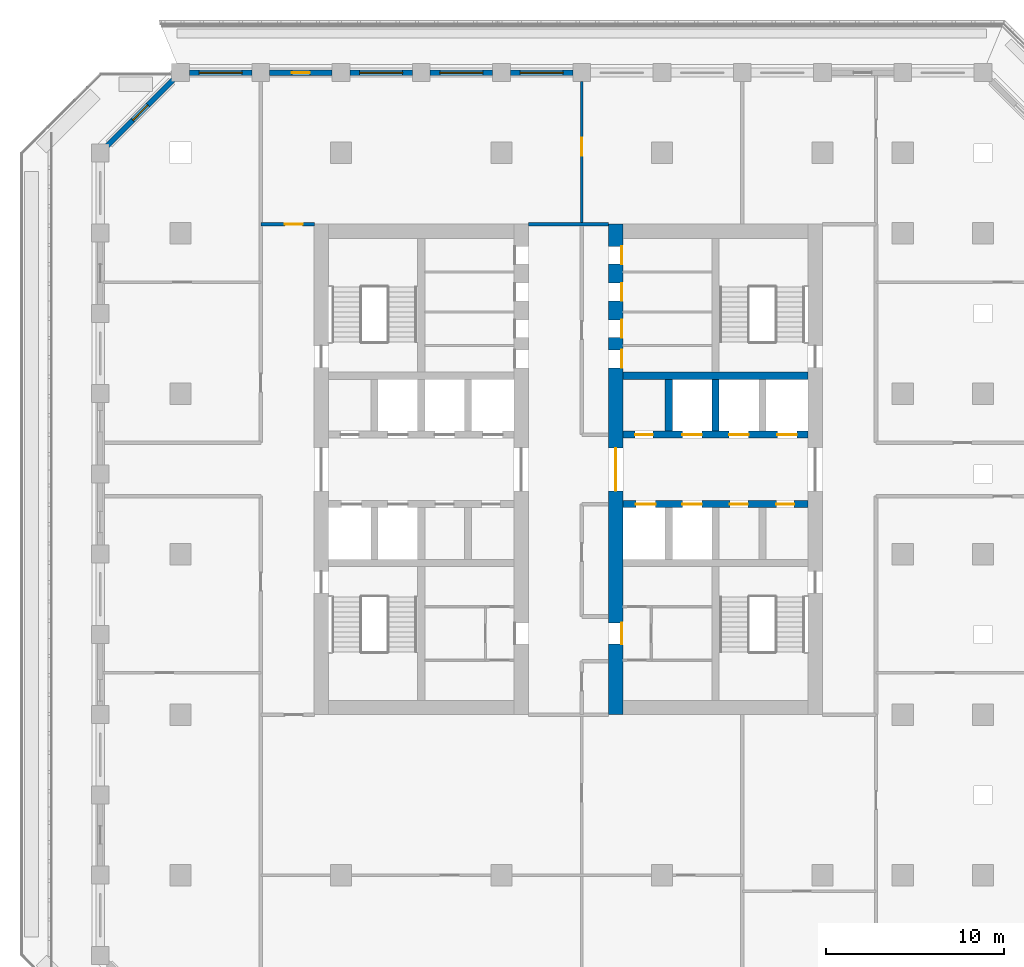
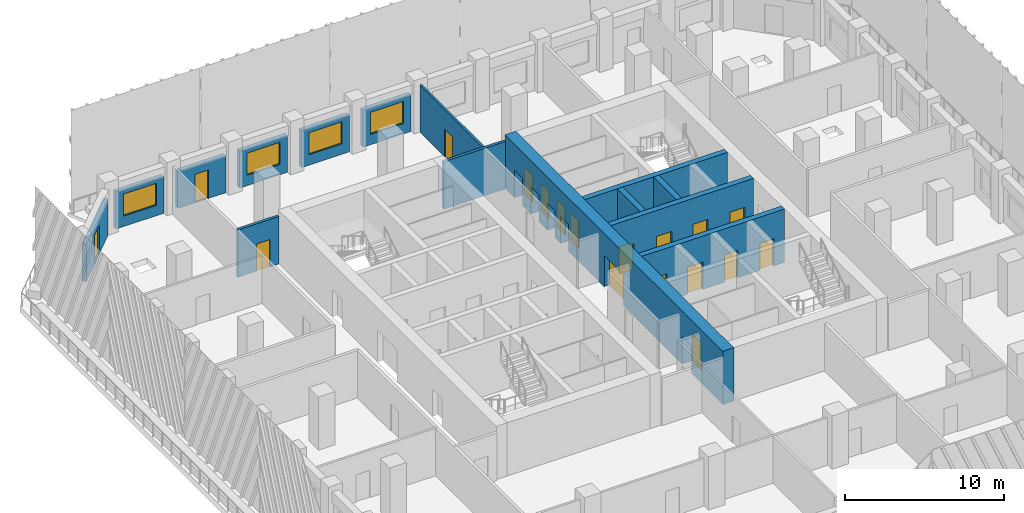
# One storey, part 6 of 16: 18 doors, 15 walls, 4 windows, 22 openings.
"""IFC4 building model written with IfcOpenShell, lengths in metres."""

from ifc_helpers import new_model, si_unit, direction, frame, frame_2d, origin, place, context, subcontext, project, spatial, rectangle, extrude, material, layer, layer_set, type_object, element, fill, save


model = new_model("IFC4")

# Units and contexts
model_context = context("Model", 3, precision=1e-05, world=origin(), true_north=direction((0.0, 1.0)))
body_context = subcontext(model_context, "Body", "Model", "MODEL_VIEW")
ifc_project = project(units=[si_unit("LENGTHUNIT", "METRE"), si_unit("AREAUNIT", "SQUARE_METRE"), si_unit("VOLUMEUNIT", "CUBIC_METRE"), si_unit("PLANEANGLEUNIT", "RADIAN"), si_unit("MASSUNIT", "GRAM", prefix="KILO")], contexts=[model_context])

# Site, building, storey
site_placement = place(None, origin())
site = spatial("IfcSite", under=ifc_project, at=site_placement, CompositionType="ELEMENT")
building_placement = place(site_placement, origin())
building = spatial("IfcBuilding", under=site, at=building_placement, Name="Corbel Stack Research Tower", CompositionType="ELEMENT")
storey_placement = place(building_placement, frame((0.0, 0.0, 191.5)))
storey = spatial("IfcBuildingStorey", under=building, at=storey_placement, Name="L43", CompositionType="ELEMENT", Elevation=191.5)

# Wall, openings, doors
ifc_material_1 = material(Name="Concrete C60/75", Category="concrete")
ifc_layer_1 = layer(ifc_material_1, 0.39990234375)
ifc_layer_set_1 = layer_set([ifc_layer_1], Name="Concrete C60/75")
wall_type_1 = type_object("IfcWallType", Name="CW-400-60", PredefinedType="SHEAR", material=ifc_layer_set_1)
wall_1_placement = place(storey_placement, frame((6.800048828125, 2.800048828125, 0.0), z_axis=(0.0, 0.0, 1.0), x_axis=(1.0, 0.0, 0.0)))
wall_1 = element("IfcWall", 1, at=wall_1_placement, inside=storey, type_object=wall_type_1, Name="East core wall, lobby south L43", PredefinedType="SHEAR", context=body_context, shape_type="SweptSolid", body=[
    extrude(rectangle(XDim=10.39990234375, YDim=0.39990234375, at=frame_2d((5.199951171875, 0.0))), origin(), (0.0, 0.0, 1.0), 4.10009765625),
])
opening_1_placement = place(wall_1_placement, frame((0.737548828125, 0.0, 0.0)))
opening_1 = element("IfcOpeningElement", 2, at=opening_1_placement, cuts=wall_1, Name="Opening LD-FS2", PredefinedType="OPENING", context=body_context, shape_type="SweptSolid", body=[
    extrude(rectangle(XDim=1.10009765625, YDim=2.10009765625, at=frame_2d((0.550048828125, 1.050048828125))), frame((0.0, 0.2099609375, 0.0), z_axis=(0.0, -1.0, 0.0), x_axis=(1.0, 0.0, 0.0)), (0.0, 0.0, 1.0), 0.419921875),
])
opening_2_placement = place(wall_1_placement, frame((3.33740234375, 0.0, 0.0)))
opening_2 = element("IfcOpeningElement", 3, at=opening_2_placement, cuts=wall_1, Name="Opening LD-GL2", PredefinedType="OPENING", context=body_context, shape_type="SweptSolid", body=[
    extrude(rectangle(XDim=1.10009765625, YDim=2.10009765625, at=frame_2d((0.550048828125, 1.050048828125))), frame((0.0, 0.2099609375, 0.0), z_axis=(0.0, -1.0, 0.0), x_axis=(1.0, 0.0, 0.0)), (0.0, 0.0, 1.0), 0.419921875),
])
opening_3_placement = place(wall_1_placement, frame((6.012451171875, 0.0, 0.0)))
opening_3 = element("IfcOpeningElement", 4, at=opening_3_placement, cuts=wall_1, Name="Opening CR-E36-S3", PredefinedType="OPENING", context=body_context, shape_type="SweptSolid", body=[
    extrude(rectangle(XDim=1.0, YDim=2.10009765625, at=frame_2d((0.5, 1.050048828125))), frame((0.0, 0.2099609375, 0.0), z_axis=(0.0, -1.0, 0.0), x_axis=(1.0, 0.0, 0.0)), (0.0, 0.0, 1.0), 0.419921875),
])
opening_4_placement = place(wall_1_placement, frame((8.612548828125, 0.0, 0.0)))
opening_4 = element("IfcOpeningElement", 5, at=opening_4_placement, cuts=wall_1, Name="Opening CR-E36-S4", PredefinedType="OPENING", context=body_context, shape_type="SweptSolid", body=[
    extrude(rectangle(XDim=1.0, YDim=2.10009765625, at=frame_2d((0.5, 1.050048828125))), frame((0.0, 0.2099609375, 0.0), z_axis=(0.0, -1.0, 0.0), x_axis=(1.0, 0.0, 0.0)), (0.0, 0.0, 1.0), 0.419921875),
])
ifc_material_2 = material(Name="Stainless steel landing door", Category="steel")
door_type_1 = type_object("IfcDoorType", Name="Lift landing door 1100 x 2100", OperationType="DOUBLE_DOOR_SLIDING", PredefinedType="DOOR", material=ifc_material_2)
door_1_placement = place(opening_1_placement, origin())
door_1 = element("IfcDoor", 6, at=door_1_placement, inside=storey, type_object=door_type_1, Name="Landing door FS2", OperationType="DOUBLE_DOOR_SLIDING", OverallHeight=2.10009765625, OverallWidth=1.10009765625, PredefinedType="DOOR", context=body_context, shape_type="SweptSolid", body=[
    extrude(rectangle(XDim=1.10009765625, YDim=2.10009765625, at=frame_2d((0.550048828125, 1.050048828125))), frame((0.0, 0.02490234375, 0.0), z_axis=(0.0, -1.0, 0.0), x_axis=(1.0, 0.0, 0.0)), (0.0, 0.0, 1.0), 0.050048828125),
])
fill(opening_1, door_1)
door_2_placement = place(opening_2_placement, origin())
door_2 = element("IfcDoor", 7, at=door_2_placement, inside=storey, type_object=door_type_1, Name="Landing door GL2", OperationType="DOUBLE_DOOR_SLIDING", OverallHeight=2.10009765625, OverallWidth=1.10009765625, PredefinedType="DOOR", context=body_context, shape_type="SweptSolid", body=[
    extrude(rectangle(XDim=1.10009765625, YDim=2.10009765625, at=frame_2d((0.550048828125, 1.050048828125))), frame((0.0, 0.02490234375, 0.0), z_axis=(0.0, -1.0, 0.0), x_axis=(1.0, 0.0, 0.0)), (0.0, 0.0, 1.0), 0.050048828125),
])
fill(opening_2, door_2)
ifc_material_3 = material(Name="Painted steel door", Category="steel")
door_type_2 = type_object("IfcDoorType", Name="Service door 1000 x 2100 FD60 left hand", OperationType="SINGLE_SWING_LEFT", PredefinedType="DOOR", material=ifc_material_3)
door_3_placement = place(opening_3_placement, origin())
door_3 = element("IfcDoor", 8, at=door_3_placement, inside=storey, type_object=door_type_2, Name="Mechanical room door E core", OperationType="SINGLE_SWING_LEFT", OverallHeight=2.10009765625, OverallWidth=1.0, PredefinedType="DOOR", context=body_context, shape_type="SweptSolid", body=[
    extrude(rectangle(XDim=1.0, YDim=2.10009765625, at=frame_2d((0.5, 1.050048828125))), frame((0.0, 0.02490234375, 0.0), z_axis=(0.0, -1.0, 0.0), x_axis=(1.0, 0.0, 0.0)), (0.0, 0.0, 1.0), 0.050048828125),
])
fill(opening_3, door_3)
ifc_material_4 = material(Name="Painted steel door", Category="steel")
door_type_3 = type_object("IfcDoorType", Name="Service door 1000 x 2100 FD60 right hand", OperationType="SINGLE_SWING_RIGHT", PredefinedType="DOOR", material=ifc_material_4)
door_4_placement = place(opening_4_placement, origin())
door_4 = element("IfcDoor", 9, at=door_4_placement, inside=storey, type_object=door_type_3, Name="Telecom room door E core", OperationType="SINGLE_SWING_RIGHT", OverallHeight=2.10009765625, OverallWidth=1.0, PredefinedType="DOOR", context=body_context, shape_type="SweptSolid", body=[
    extrude(rectangle(XDim=1.0, YDim=2.10009765625, at=frame_2d((0.5, 1.050048828125))), frame((0.0, 0.02490234375, 0.0), z_axis=(0.0, -1.0, 0.0), x_axis=(1.0, 0.0, 0.0)), (0.0, 0.0, 1.0), 0.050048828125),
])
fill(opening_4, door_4)

wall_2_placement = place(storey_placement, frame((6.800048828125, 6.699951171875, 0.0), z_axis=(0.0, 0.0, 1.0), x_axis=(1.0, 0.0, 0.0)))
wall_2 = element("IfcWall", 10, at=wall_2_placement, inside=storey, type_object=wall_type_1, Name="East core wall, lobby north L43", PredefinedType="SHEAR", context=body_context, shape_type="SweptSolid", body=[
    extrude(rectangle(XDim=10.39990234375, YDim=0.39990234375, at=frame_2d((5.199951171875, 0.0))), origin(), (0.0, 0.0, 1.0), 4.10009765625),
])
opening_5_placement = place(wall_2_placement, frame((3.33740234375, 0.0, 0.0)))
opening_5 = element("IfcOpeningElement", 11, at=opening_5_placement, cuts=wall_2, Name="Opening LD-HR4", PredefinedType="OPENING", context=body_context, shape_type="SweptSolid", body=[
    extrude(rectangle(XDim=1.10009765625, YDim=2.10009765625, at=frame_2d((0.550048828125, 1.050048828125))), frame((0.0, 0.2099609375, 0.0), z_axis=(0.0, -1.0, 0.0), x_axis=(1.0, 0.0, 0.0)), (0.0, 0.0, 1.0), 0.419921875),
])
opening_6_placement = place(wall_2_placement, frame((5.96240234375, 0.0, 0.0)))
opening_6 = element("IfcOpeningElement", 12, at=opening_6_placement, cuts=wall_2, Name="Opening LD-HR5", PredefinedType="OPENING", context=body_context, shape_type="SweptSolid", body=[
    extrude(rectangle(XDim=1.10009765625, YDim=2.10009765625, at=frame_2d((0.550048828125, 1.050048828125))), frame((0.0, 0.2099609375, 0.0), z_axis=(0.0, -1.0, 0.0), x_axis=(1.0, 0.0, 0.0)), (0.0, 0.0, 1.0), 0.419921875),
])
opening_7_placement = place(wall_2_placement, frame((8.66259765625, 0.0, 0.0)))
opening_7 = element("IfcOpeningElement", 13, at=opening_7_placement, cuts=wall_2, Name="Opening LD-HR6", PredefinedType="OPENING", context=body_context, shape_type="SweptSolid", body=[
    extrude(rectangle(XDim=1.10009765625, YDim=2.10009765625, at=frame_2d((0.550048828125, 1.050048828125))), frame((0.0, 0.2099609375, 0.0), z_axis=(0.0, -1.0, 0.0), x_axis=(1.0, 0.0, 0.0)), (0.0, 0.0, 1.0), 0.419921875),
])
opening_8_placement = place(wall_2_placement, frame((0.6875, 0.0, 0.0)))
opening_8 = element("IfcOpeningElement", 14, at=opening_8_placement, cuts=wall_2, Name="Opening CR-E36-N1", PredefinedType="OPENING", context=body_context, shape_type="SweptSolid", body=[
    extrude(rectangle(XDim=1.0, YDim=2.10009765625, at=frame_2d((0.5, 1.050048828125))), frame((0.0, 0.2099609375, 0.0), z_axis=(0.0, -1.0, 0.0), x_axis=(1.0, 0.0, 0.0)), (0.0, 0.0, 1.0), 0.419921875),
])
door_5_placement = place(opening_5_placement, origin())
door_5 = element("IfcDoor", 15, at=door_5_placement, inside=storey, type_object=door_type_1, Name="Landing door HR4", OperationType="DOUBLE_DOOR_SLIDING", OverallHeight=2.10009765625, OverallWidth=1.10009765625, PredefinedType="DOOR", context=body_context, shape_type="SweptSolid", body=[
    extrude(rectangle(XDim=1.10009765625, YDim=2.10009765625, at=frame_2d((0.550048828125, 1.050048828125))), frame((0.0, 0.02490234375, 0.0), z_axis=(0.0, -1.0, 0.0), x_axis=(1.0, 0.0, 0.0)), (0.0, 0.0, 1.0), 0.050048828125),
])
fill(opening_5, door_5)
door_6_placement = place(opening_6_placement, origin())
door_6 = element("IfcDoor", 16, at=door_6_placement, inside=storey, type_object=door_type_1, Name="Landing door HR5", OperationType="DOUBLE_DOOR_SLIDING", OverallHeight=2.10009765625, OverallWidth=1.10009765625, PredefinedType="DOOR", context=body_context, shape_type="SweptSolid", body=[
    extrude(rectangle(XDim=1.10009765625, YDim=2.10009765625, at=frame_2d((0.550048828125, 1.050048828125))), frame((0.0, 0.02490234375, 0.0), z_axis=(0.0, -1.0, 0.0), x_axis=(1.0, 0.0, 0.0)), (0.0, 0.0, 1.0), 0.050048828125),
])
fill(opening_6, door_6)
door_7_placement = place(opening_7_placement, origin())
door_7 = element("IfcDoor", 17, at=door_7_placement, inside=storey, type_object=door_type_1, Name="Landing door HR6", OperationType="DOUBLE_DOOR_SLIDING", OverallHeight=2.10009765625, OverallWidth=1.10009765625, PredefinedType="DOOR", context=body_context, shape_type="SweptSolid", body=[
    extrude(rectangle(XDim=1.10009765625, YDim=2.10009765625, at=frame_2d((0.550048828125, 1.050048828125))), frame((0.0, 0.02490234375, 0.0), z_axis=(0.0, -1.0, 0.0), x_axis=(1.0, 0.0, 0.0)), (0.0, 0.0, 1.0), 0.050048828125),
])
fill(opening_7, door_7)
door_8_placement = place(opening_8_placement, origin())
door_8 = element("IfcDoor", 18, at=door_8_placement, inside=storey, type_object=door_type_2, Name="Copy and supply store door E core", OperationType="SINGLE_SWING_LEFT", OverallHeight=2.10009765625, OverallWidth=1.0, PredefinedType="DOOR", context=body_context, shape_type="SweptSolid", body=[
    extrude(rectangle(XDim=1.0, YDim=2.10009765625, at=frame_2d((0.5, 1.050048828125))), frame((0.0, 0.02490234375, 0.0), z_axis=(0.0, -1.0, 0.0), x_axis=(1.0, 0.0, 0.0)), (0.0, 0.0, 1.0), 0.050048828125),
])
fill(opening_8, door_8)

# Walls
wall_3_placement = place(storey_placement, frame((6.800048828125, 10.0, 0.0), z_axis=(0.0, 0.0, 1.0), x_axis=(1.0, 0.0, 0.0)))
element("IfcWall", 19, at=wall_3_placement, inside=storey, type_object=wall_type_1, Name="East core wall, north row back L43", PredefinedType="SHEAR", context=body_context, shape_type="SweptSolid", body=[
    extrude(rectangle(XDim=10.39990234375, YDim=0.39990234375, at=frame_2d((5.199951171875, 0.0))), origin(), (0.0, 0.0, 1.0), 4.10009765625),
])
for number, where, z_axis, x_axis, name in (
    (20, (9.375, 6.89990234375, 0.0), (0.0, 0.0, 1.0), (0.0, 1.0, 0.0), "East core wall, north shaft 1 L43"),
    (21, (12.0, 6.89990234375, 0.0), (0.0, 0.0, 1.0), (0.0, 1.0, 0.0), "East core wall, north shaft 2 L43"),
):
    element("IfcWall", number, at=place(storey_placement, frame(where, z_axis=z_axis, x_axis=x_axis)), inside=storey, type_object=wall_type_1, Name=name, PredefinedType="SHEAR", context=body_context, shape_type="SweptSolid", body=[
        extrude(rectangle(XDim=2.900146484375, YDim=0.39990234375, at=frame_2d((1.4501953125, 0.0))), origin(), (0.0, 0.0, 1.0), 4.10009765625),
    ])

# Wall, openings, doors
ifc_material_5 = material(Name="Concrete C60/75", Category="concrete")
ifc_layer_2 = layer(ifc_material_5, 0.800048828125)
ifc_layer_set_2 = layer_set([ifc_layer_2], Name="Concrete C60/75")
wall_type_2 = type_object("IfcWallType", Name="CW-800-60", PredefinedType="SHEAR", material=ifc_layer_set_2)
wall_4_placement = place(storey_placement, frame((6.39990234375, -9.0, 0.0), z_axis=(0.0, 0.0, 1.0), x_axis=(0.0, 1.0, 0.0)))
wall_4 = element("IfcWall", 22, at=wall_4_placement, inside=storey, type_object=wall_type_2, Name="East core wall, west face L43", PredefinedType="SHEAR", context=body_context, shape_type="SweptSolid", body=[
    extrude(rectangle(XDim=27.5, YDim=0.800048828125, at=frame_2d((13.75, 0.0))), origin(), (0.0, 0.0, 1.0), 4.10009765625),
])
opening_9_placement = place(wall_4_placement, frame((12.550048828125, 0.0, 0.0)))
opening_9 = element("IfcOpeningElement", 23, at=opening_9_placement, cuts=wall_4, Name="Opening CD-E-W", PredefinedType="OPENING", context=body_context, shape_type="SweptSolid", body=[
    extrude(rectangle(XDim=2.39990234375, YDim=2.39990234375, at=frame_2d((1.199951171875, 1.199951171875))), frame((0.0, 0.409912109375, 0.0), z_axis=(0.0, -1.0, 0.0), x_axis=(1.0, 0.0, 0.0)), (0.0, 0.0, 1.0), 0.820068359375),
])
opening_10_placement = place(wall_4_placement, frame((3.949951171875, 0.0, 0.0)))
opening_10 = element("IfcOpeningElement", 24, at=opening_10_placement, cuts=wall_4, Name="Opening CR-E36-W1-1200", PredefinedType="OPENING", context=body_context, shape_type="SweptSolid", body=[
    extrude(rectangle(XDim=1.199951171875, YDim=2.10009765625, at=frame_2d((0.60009765625, 1.050048828125))), frame((0.0, 0.409912109375, 0.0), z_axis=(0.0, -1.0, 0.0), x_axis=(1.0, 0.0, 0.0)), (0.0, 0.0, 1.0), 0.820068359375),
])
opening_11_placement = place(wall_4_placement, frame((19.449951171875, 0.0, 0.0)))
opening_11 = element("IfcOpeningElement", 25, at=opening_11_placement, cuts=wall_4, Name="Opening CR-E36-R1-1000", PredefinedType="OPENING", context=body_context, shape_type="SweptSolid", body=[
    extrude(rectangle(XDim=1.0, YDim=2.10009765625, at=frame_2d((0.5, 1.050048828125))), frame((0.0, 0.409912109375, 0.0), z_axis=(0.0, -1.0, 0.0), x_axis=(1.0, 0.0, 0.0)), (0.0, 0.0, 1.0), 0.820068359375),
])
opening_12_placement = place(wall_4_placement, frame((21.137451171875, 0.0, 0.0)))
opening_12 = element("IfcOpeningElement", 26, at=opening_12_placement, cuts=wall_4, Name="Opening CR-E36-R2-1000", PredefinedType="OPENING", context=body_context, shape_type="SweptSolid", body=[
    extrude(rectangle(XDim=1.0, YDim=2.10009765625, at=frame_2d((0.5, 1.050048828125))), frame((0.0, 0.409912109375, 0.0), z_axis=(0.0, -1.0, 0.0), x_axis=(1.0, 0.0, 0.0)), (0.0, 0.0, 1.0), 0.820068359375),
])
opening_13_placement = place(wall_4_placement, frame((23.199951171875, 0.0, 0.0)))
opening_13 = element("IfcOpeningElement", 27, at=opening_13_placement, cuts=wall_4, Name="Opening CR-E36-R3-1000", PredefinedType="OPENING", context=body_context, shape_type="SweptSolid", body=[
    extrude(rectangle(XDim=1.0, YDim=2.10009765625, at=frame_2d((0.5, 1.050048828125))), frame((0.0, 0.409912109375, 0.0), z_axis=(0.0, -1.0, 0.0), x_axis=(1.0, 0.0, 0.0)), (0.0, 0.0, 1.0), 0.820068359375),
])
opening_14_placement = place(wall_4_placement, frame((25.262451171875, 0.0, 0.0)))
opening_14 = element("IfcOpeningElement", 28, at=opening_14_placement, cuts=wall_4, Name="Opening CR-E36-R4-1000", PredefinedType="OPENING", context=body_context, shape_type="SweptSolid", body=[
    extrude(rectangle(XDim=1.0, YDim=2.10009765625, at=frame_2d((0.5, 1.050048828125))), frame((0.0, 0.409912109375, 0.0), z_axis=(0.0, -1.0, 0.0), x_axis=(1.0, 0.0, 0.0)), (0.0, 0.0, 1.0), 0.820068359375),
])
ifc_material_6 = material(Name="Painted steel fire door", Category="steel")
door_type_4 = type_object("IfcDoorType", Name="Lobby door pair 2400 x 2400 FD30S", OperationType="DOUBLE_DOOR_DOUBLE_SWING", PredefinedType="DOOR", material=ifc_material_6)
door_9_placement = place(opening_9_placement, origin())
door_9 = element("IfcDoor", 29, at=door_9_placement, inside=storey, type_object=door_type_4, Name="Lift lobby door E core W", OperationType="DOUBLE_DOOR_DOUBLE_SWING", OverallHeight=2.39990234375, OverallWidth=2.39990234375, PredefinedType="DOOR", context=body_context, shape_type="SweptSolid", body=[
    extrude(rectangle(XDim=2.39990234375, YDim=2.39990234375, at=frame_2d((1.199951171875, 1.199951171875))), frame((0.0, 0.02490234375, 0.0), z_axis=(0.0, -1.0, 0.0), x_axis=(1.0, 0.0, 0.0)), (0.0, 0.0, 1.0), 0.050048828125),
])
fill(opening_9, door_9)
ifc_material_7 = material(Name="Painted steel door", Category="steel")
door_type_5 = type_object("IfcDoorType", Name="Riser door 1000 x 2100 FD60 left hand", OperationType="SINGLE_SWING_LEFT", PredefinedType="DOOR", material=ifc_material_7)
door_10_placement = place(opening_12_placement, origin())
door_10 = element("IfcDoor", 30, at=door_10_placement, inside=storey, type_object=door_type_5, Name="Telecom room door E core", OperationType="SINGLE_SWING_LEFT", OverallHeight=2.10009765625, OverallWidth=1.0, PredefinedType="DOOR", context=body_context, shape_type="SweptSolid", body=[
    extrude(rectangle(XDim=1.0, YDim=2.10009765625, at=frame_2d((0.5, 1.050048828125))), frame((0.0, -0.3251953125, 0.0), z_axis=(0.0, -1.0, 0.0), x_axis=(1.0, 0.0, 0.0)), (0.0, 0.0, 1.0), 0.050048828125),
])
fill(opening_12, door_10)
ifc_material_8 = material(Name="Painted steel door", Category="steel")
door_type_6 = type_object("IfcDoorType", Name="Riser door 1000 x 2100 FD60 right hand", OperationType="SINGLE_SWING_RIGHT", PredefinedType="DOOR", material=ifc_material_8)
door_11_placement = place(opening_11_placement, origin())
door_11 = element("IfcDoor", 31, at=door_11_placement, inside=storey, type_object=door_type_6, Name="Electrical riser door E core", OperationType="SINGLE_SWING_RIGHT", OverallHeight=2.10009765625, OverallWidth=1.0, PredefinedType="DOOR", context=body_context, shape_type="SweptSolid", body=[
    extrude(rectangle(XDim=1.0, YDim=2.10009765625, at=frame_2d((0.5, 1.050048828125))), frame((0.0, -0.3251953125, 0.0), z_axis=(0.0, -1.0, 0.0), x_axis=(1.0, 0.0, 0.0)), (0.0, 0.0, 1.0), 0.050048828125),
])
fill(opening_11, door_11)
ifc_material_9 = material(Name="Painted steel door", Category="steel")
door_type_7 = type_object("IfcDoorType", Name="Service door 1000 x 2100 FD30 left hand", OperationType="SINGLE_SWING_LEFT", PredefinedType="DOOR", material=ifc_material_9)
door_12_placement = place(opening_14_placement, origin())
door_12 = element("IfcDoor", 32, at=door_12_placement, inside=storey, type_object=door_type_7, Name="Cleaner's store door E core", OperationType="SINGLE_SWING_LEFT", OverallHeight=2.10009765625, OverallWidth=1.0, PredefinedType="DOOR", context=body_context, shape_type="SweptSolid", body=[
    extrude(rectangle(XDim=1.0, YDim=2.10009765625, at=frame_2d((0.5, 1.050048828125))), frame((0.0, -0.3251953125, 0.0), z_axis=(0.0, -1.0, 0.0), x_axis=(1.0, 0.0, 0.0)), (0.0, 0.0, 1.0), 0.050048828125),
])
fill(opening_14, door_12)
ifc_material_10 = material(Name="Painted steel door", Category="steel")
door_type_8 = type_object("IfcDoorType", Name="Service door 1000 x 2100 FD30 right hand", OperationType="SINGLE_SWING_RIGHT", PredefinedType="DOOR", material=ifc_material_10)
door_13_placement = place(opening_13_placement, origin())
door_13 = element("IfcDoor", 33, at=door_13_placement, inside=storey, type_object=door_type_8, Name="Pantry door E core", OperationType="SINGLE_SWING_RIGHT", OverallHeight=2.10009765625, OverallWidth=1.0, PredefinedType="DOOR", context=body_context, shape_type="SweptSolid", body=[
    extrude(rectangle(XDim=1.0, YDim=2.10009765625, at=frame_2d((0.5, 1.050048828125))), frame((0.0, -0.3251953125, 0.0), z_axis=(0.0, -1.0, 0.0), x_axis=(1.0, 0.0, 0.0)), (0.0, 0.0, 1.0), 0.050048828125),
])
fill(opening_13, door_13)
ifc_material_11 = material(Name="Painted timber door", Category="wood")
door_type_9 = type_object("IfcDoorType", Name="WC door 1200 x 2100 right hand", OperationType="SINGLE_SWING_RIGHT", PredefinedType="DOOR", material=ifc_material_11)
door_14_placement = place(opening_10_placement, origin())
door_14 = element("IfcDoor", 34, at=door_14_placement, inside=storey, type_object=door_type_9, Name="WC lobby door E core", OperationType="SINGLE_SWING_RIGHT", OverallHeight=2.10009765625, OverallWidth=1.199951171875, PredefinedType="DOOR", context=body_context, shape_type="SweptSolid", body=[
    extrude(rectangle(XDim=1.199951171875, YDim=2.10009765625, at=frame_2d((0.60009765625, 1.050048828125))), frame((0.0, -0.3251953125, 0.0), z_axis=(0.0, -1.0, 0.0), x_axis=(1.0, 0.0, 0.0)), (0.0, 0.0, 1.0), 0.050048828125),
])
fill(opening_10, door_14)

# Wall, opening, door
ifc_material_12 = material(Name="Fire-rated gypsum board partition on steel studs", Category="steel")
ifc_layer_3 = layer(ifc_material_12, 0.14990234375)
ifc_layer_set_3 = layer_set([ifc_layer_3], Name="Fire-rated gypsum board partition on steel studs")
wall_type_3 = type_object("IfcWallType", Name="Fire-rated partition 150 EI 60", PredefinedType="PARTITIONING", material=ifc_layer_set_3)
wall_5_placement = place(storey_placement, frame((4.5, 26.5, 0.0), z_axis=(0.0, 0.0, 1.0), x_axis=(0.0, -1.0, 0.0)))
wall_5 = element("IfcWall", 35, at=wall_5_placement, inside=storey, type_object=wall_type_3, Name="Partition L43-004", PredefinedType="PARTITIONING", context=body_context, shape_type="SweptSolid", body=[
    extrude(rectangle(XDim=8.0, YDim=0.14990234375, at=frame_2d((4.0, 0.0))), origin(), (0.0, 0.0, 1.0), 3.64990234375),
])
opening_15_placement = place(wall_5_placement, frame((3.14990234375, 0.0, 0.0)))
opening_15 = element("IfcOpeningElement", 36, at=opening_15_placement, cuts=wall_5, Name="Opening B6V0H-014", PredefinedType="OPENING", context=body_context, shape_type="SweptSolid", body=[
    extrude(rectangle(XDim=1.0, YDim=2.10009765625, at=frame_2d((0.5, 1.050048828125))), frame((0.0, 0.0849609375, 0.0), z_axis=(0.0, -1.0, 0.0), x_axis=(1.0, 0.0, 0.0)), (0.0, 0.0, 1.0), 0.169921875),
])
ifc_material_13 = material(Name="Painted steel fire door", Category="steel")
door_type_10 = type_object("IfcDoorType", Name="Fire door FD30S 1000 x 2100", OperationType="NOTDEFINED", PredefinedType="DOOR", material=ifc_material_13)
door_15_placement = place(opening_15_placement, origin())
door_15 = element("IfcDoor", 37, at=door_15_placement, inside=storey, type_object=door_type_10, Name="Door B6V0H-014", OperationType="SINGLE_SWING_LEFT", OverallHeight=2.10009765625, OverallWidth=1.0, PredefinedType="DOOR", context=body_context, shape_type="SweptSolid", body=[
    extrude(rectangle(XDim=1.0, YDim=2.10009765625, at=frame_2d((0.5, 1.050048828125))), frame((0.0, 0.02490234375, 0.0), z_axis=(0.0, -1.0, 0.0), x_axis=(1.0, 0.0, 0.0)), (0.0, 0.0, 1.0), 0.050048828125),
])
fill(opening_15, door_15)

ifc_material_14 = material(Name="Fire-rated gypsum board partition on steel studs", Category="steel")
ifc_layer_4 = layer(ifc_material_14, 0.199951171875)
ifc_layer_set_4 = layer_set([ifc_layer_4], Name="Fire-rated gypsum board partition on steel studs")
wall_type_4 = type_object("IfcWallType", Name="Fire-rated partition 200 EI 60", PredefinedType="PARTITIONING", material=ifc_layer_set_4)
wall_6_placement = place(storey_placement, frame((-13.5, 18.5, 0.0), z_axis=(0.0, 0.0, 1.0), x_axis=(1.0, 0.0, 0.0)))
wall_6 = element("IfcWall", 38, at=wall_6_placement, inside=storey, type_object=wall_type_4, Name="Partition L43-034", PredefinedType="PARTITIONING", context=body_context, shape_type="SweptSolid", body=[
    extrude(rectangle(XDim=3.0, YDim=0.199951171875, at=frame_2d((1.5, 0.0))), origin(), (0.0, 0.0, 1.0), 3.64990234375),
])
opening_16_placement = place(wall_6_placement, frame((1.35009765625, 0.0, 0.0)))
opening_16 = element("IfcOpeningElement", 39, at=opening_16_placement, cuts=wall_6, Name="Opening B6V0H-018", PredefinedType="OPENING", context=body_context, shape_type="SweptSolid", body=[
    extrude(rectangle(XDim=1.0, YDim=2.10009765625, at=frame_2d((0.5, 1.050048828125))), frame((0.0, 0.10986328125, 0.0), z_axis=(0.0, -1.0, 0.0), x_axis=(1.0, 0.0, 0.0)), (0.0, 0.0, 1.0), 0.219970703125),
])
door_16_placement = place(opening_16_placement, origin())
door_16 = element("IfcDoor", 40, at=door_16_placement, inside=storey, type_object=door_type_10, Name="Door B6V0H-018", OperationType="SINGLE_SWING_RIGHT", OverallHeight=2.10009765625, OverallWidth=1.0, PredefinedType="DOOR", context=body_context, shape_type="SweptSolid", body=[
    extrude(rectangle(XDim=1.0, YDim=2.10009765625, at=frame_2d((0.5, 1.050048828125))), frame((0.0, 0.02490234375, 0.0), z_axis=(0.0, -1.0, 0.0), x_axis=(1.0, 0.0, 0.0)), (0.0, 0.0, 1.0), 0.050048828125),
])
fill(opening_16, door_16)

# Wall
wall_7_placement = place(storey_placement, frame((1.5, 18.5, 0.0), z_axis=(0.0, 0.0, 1.0), x_axis=(1.0, 0.0, 0.0)))
element("IfcWall", 41, at=wall_7_placement, inside=storey, type_object=wall_type_4, Name="Partition L43-035", PredefinedType="PARTITIONING", context=body_context, shape_type="SweptSolid", body=[
    extrude(rectangle(XDim=4.5, YDim=0.199951171875, at=frame_2d((2.25, 0.0))), origin(), (0.0, 0.0, 1.0), 3.64990234375),
])

# Wall, opening, window
ifc_material_15 = material(Name="Concrete C45/55", Category="concrete")
ifc_layer_5 = layer(ifc_material_15, 0.300048828125)
ifc_layer_set_5 = layer_set([ifc_layer_5], Name="Concrete C45/55")
wall_type_5 = type_object("IfcWallType", Name="Terracotta-faced concrete wall 300", PredefinedType="SOLIDWALL", material=ifc_layer_set_5)
wall_8_placement = place(storey_placement, frame((0.5, 27.0, 0.0), z_axis=(0.0, 0.0, 1.0), x_axis=(1.0, 0.0, 0.0)))
wall_8 = element("IfcWall", 42, at=wall_8_placement, inside=storey, type_object=wall_type_5, Name="Facade wall L43 N06", PredefinedType="SOLIDWALL", context=body_context, shape_type="SweptSolid", body=[
    extrude(rectangle(XDim=3.5, YDim=0.300048828125, at=frame_2d((1.75, 0.0))), origin(), (0.0, 0.0, 1.0), 2.85009765625),
])
opening_17_placement = place(wall_8_placement, frame((0.550048828125, 0.0, 0.800048828125)))
opening_17 = element("IfcOpeningElement", 43, at=opening_17_placement, cuts=wall_8, Name="Opening W1", PredefinedType="OPENING", context=body_context, shape_type="SweptSolid", body=[
    extrude(rectangle(XDim=2.39990234375, YDim=1.699951171875, at=frame_2d((1.199951171875, 0.85009765625))), frame((0.0, 0.159912109375, 0.0), z_axis=(0.0, -1.0, 0.0), x_axis=(1.0, 0.0, 0.0)), (0.0, 0.0, 1.0), 0.320068359375),
])
ifc_material_16 = material(Name="Aluminium frame, clear double glazing", Category="aluminium")
window_type = type_object("IfcWindowType", Name="Window W1 2400 x 1700", PartitioningType="SINGLE_PANEL", PredefinedType="WINDOW", material=ifc_material_16)
window_1_placement = place(opening_17_placement, origin())
window_1 = element("IfcWindow", 44, at=window_1_placement, inside=storey, type_object=window_type, Name="Window W1 L43 N06", OverallHeight=1.699951171875, OverallWidth=2.39990234375, PartitioningType="SINGLE_PANEL", PredefinedType="WINDOW", context=body_context, shape_type="SweptSolid", body=[
    extrude(rectangle(XDim=2.39990234375, YDim=1.699951171875, at=frame_2d((1.199951171875, 0.85009765625))), frame((0.0, 0.030029296875, 0.0), z_axis=(0.0, -1.0, 0.0), x_axis=(1.0, 0.0, 0.0)), (0.0, 0.0, 1.0), 0.06005859375),
])
fill(opening_17, window_1)

wall_9_placement = place(storey_placement, frame((-4.0, 27.0, 0.0), z_axis=(0.0, 0.0, 1.0), x_axis=(1.0, 0.0, 0.0)))
wall_9 = element("IfcWall", 45, at=wall_9_placement, inside=storey, type_object=wall_type_5, Name="Facade wall L43 N07", PredefinedType="SOLIDWALL", context=body_context, shape_type="SweptSolid", body=[
    extrude(rectangle(XDim=3.5, YDim=0.300048828125, at=frame_2d((1.75, 0.0))), origin(), (0.0, 0.0, 1.0), 2.85009765625),
])
opening_18_placement = place(wall_9_placement, frame((0.550048828125, 0.0, 0.800048828125)))
opening_18 = element("IfcOpeningElement", 46, at=opening_18_placement, cuts=wall_9, Name="Opening W1", PredefinedType="OPENING", context=body_context, shape_type="SweptSolid", body=[
    extrude(rectangle(XDim=2.39990234375, YDim=1.699951171875, at=frame_2d((1.199951171875, 0.85009765625))), frame((0.0, 0.159912109375, 0.0), z_axis=(0.0, -1.0, 0.0), x_axis=(1.0, 0.0, 0.0)), (0.0, 0.0, 1.0), 0.320068359375),
])
window_2_placement = place(opening_18_placement, origin())
window_2 = element("IfcWindow", 47, at=window_2_placement, inside=storey, type_object=window_type, Name="Window W1 L43 N07", OverallHeight=1.699951171875, OverallWidth=2.39990234375, PartitioningType="SINGLE_PANEL", PredefinedType="WINDOW", context=body_context, shape_type="SweptSolid", body=[
    extrude(rectangle(XDim=2.39990234375, YDim=1.699951171875, at=frame_2d((1.199951171875, 0.85009765625))), frame((0.0, 0.030029296875, 0.0), z_axis=(0.0, -1.0, 0.0), x_axis=(1.0, 0.0, 0.0)), (0.0, 0.0, 1.0), 0.06005859375),
])
fill(opening_18, window_2)

wall_10_placement = place(storey_placement, frame((-8.5, 27.0, 0.0), z_axis=(0.0, 0.0, 1.0), x_axis=(1.0, 0.0, 0.0)))
wall_10 = element("IfcWall", 48, at=wall_10_placement, inside=storey, type_object=wall_type_5, Name="Facade wall L43 N08", PredefinedType="SOLIDWALL", context=body_context, shape_type="SweptSolid", body=[
    extrude(rectangle(XDim=3.5, YDim=0.300048828125, at=frame_2d((1.75, 0.0))), origin(), (0.0, 0.0, 1.0), 2.85009765625),
])
opening_19_placement = place(wall_10_placement, frame((0.550048828125, 0.0, 0.800048828125)))
opening_19 = element("IfcOpeningElement", 49, at=opening_19_placement, cuts=wall_10, Name="Opening W1", PredefinedType="OPENING", context=body_context, shape_type="SweptSolid", body=[
    extrude(rectangle(XDim=2.39990234375, YDim=1.699951171875, at=frame_2d((1.199951171875, 0.85009765625))), frame((0.0, 0.159912109375, 0.0), z_axis=(0.0, -1.0, 0.0), x_axis=(1.0, 0.0, 0.0)), (0.0, 0.0, 1.0), 0.320068359375),
])
window_3_placement = place(opening_19_placement, origin())
window_3 = element("IfcWindow", 50, at=window_3_placement, inside=storey, type_object=window_type, Name="Window W1 L43 N08", OverallHeight=1.699951171875, OverallWidth=2.39990234375, PartitioningType="SINGLE_PANEL", PredefinedType="WINDOW", context=body_context, shape_type="SweptSolid", body=[
    extrude(rectangle(XDim=2.39990234375, YDim=1.699951171875, at=frame_2d((1.199951171875, 0.85009765625))), frame((0.0, 0.030029296875, 0.0), z_axis=(0.0, -1.0, 0.0), x_axis=(1.0, 0.0, 0.0)), (0.0, 0.0, 1.0), 0.06005859375),
])
fill(opening_19, window_3)

# Wall, opening, door
wall_11_placement = place(storey_placement, frame((-13.0, 27.0, 0.0), z_axis=(0.0, 0.0, 1.0), x_axis=(1.0, 0.0, 0.0)))
wall_11 = element("IfcWall", 51, at=wall_11_placement, inside=storey, type_object=wall_type_5, Name="Facade wall L43 N09", PredefinedType="SOLIDWALL", context=body_context, shape_type="SweptSolid", body=[
    extrude(rectangle(XDim=3.5, YDim=0.300048828125, at=frame_2d((1.75, 0.0))), origin(), (0.0, 0.0, 1.0), 2.85009765625),
])
opening_20_placement = place(wall_11_placement, frame((1.25, 0.0, 0.0)))
opening_20 = element("IfcOpeningElement", 52, at=opening_20_placement, cuts=wall_11, Name="Opening L43-B08", PredefinedType="OPENING", context=body_context, shape_type="SweptSolid", body=[
    extrude(rectangle(XDim=1.0, YDim=2.199951171875, at=frame_2d((0.5, 1.10009765625))), frame((0.0, 0.159912109375, 0.0), z_axis=(0.0, -1.0, 0.0), x_axis=(1.0, 0.0, 0.0)), (0.0, 0.0, 1.0), 0.320068359375),
])
ifc_material_17 = material(Name="Aluminium frame, clear double glazing", Category="aluminium")
door_type_11 = type_object("IfcDoorType", Name="Balcony door BD1 1000 x 2200", OperationType="NOTDEFINED", PredefinedType="DOOR", material=ifc_material_17)
door_17_placement = place(opening_20_placement, origin())
door_17 = element("IfcDoor", 53, at=door_17_placement, inside=storey, type_object=door_type_11, Name="Balcony door L43-B08", OperationType="SINGLE_SWING_RIGHT", OverallHeight=2.199951171875, OverallWidth=1.0, PredefinedType="DOOR", context=body_context, shape_type="SweptSolid", body=[
    extrude(rectangle(XDim=1.0, YDim=2.199951171875, at=frame_2d((0.5, 1.10009765625))), frame((0.0, 0.02490234375, 0.0), z_axis=(0.0, -1.0, 0.0), x_axis=(1.0, 0.0, 0.0)), (0.0, 0.0, 1.0), 0.050048828125),
])
fill(opening_20, door_17)

# Wall, opening, window
wall_12_placement = place(storey_placement, frame((-17.5, 27.0, 0.0), z_axis=(0.0, 0.0, 1.0), x_axis=(1.0, 0.0, 0.0)))
wall_12 = element("IfcWall", 54, at=wall_12_placement, inside=storey, type_object=wall_type_5, Name="Facade wall L43 N10", PredefinedType="SOLIDWALL", context=body_context, shape_type="SweptSolid", body=[
    extrude(rectangle(XDim=3.5, YDim=0.300048828125, at=frame_2d((1.75, 0.0))), origin(), (0.0, 0.0, 1.0), 2.85009765625),
])
opening_21_placement = place(wall_12_placement, frame((0.550048828125, 0.0, 0.800048828125)))
opening_21 = element("IfcOpeningElement", 55, at=opening_21_placement, cuts=wall_12, Name="Opening W1", PredefinedType="OPENING", context=body_context, shape_type="SweptSolid", body=[
    extrude(rectangle(XDim=2.39990234375, YDim=1.699951171875, at=frame_2d((1.199951171875, 0.85009765625))), frame((0.0, 0.159912109375, 0.0), z_axis=(0.0, -1.0, 0.0), x_axis=(1.0, 0.0, 0.0)), (0.0, 0.0, 1.0), 0.320068359375),
])
window_4_placement = place(opening_21_placement, origin())
window_4 = element("IfcWindow", 56, at=window_4_placement, inside=storey, type_object=window_type, Name="Window W1 L43 N10", OverallHeight=1.699951171875, OverallWidth=2.39990234375, PartitioningType="SINGLE_PANEL", PredefinedType="WINDOW", context=body_context, shape_type="SweptSolid", body=[
    extrude(rectangle(XDim=2.39990234375, YDim=1.699951171875, at=frame_2d((1.199951171875, 0.85009765625))), frame((0.0, 0.030029296875, 0.0), z_axis=(0.0, -1.0, 0.0), x_axis=(1.0, 0.0, 0.0)), (0.0, 0.0, 1.0), 0.06005859375),
])
fill(opening_21, window_4)

# Wall, opening, door
wall_13_placement = place(storey_placement, frame((-22.106201171875, 22.893798828125, 0.0), z_axis=(0.0, 0.0, 1.0), x_axis=(0.707106781187, 0.707106781187, 0.0)))
wall_13 = element("IfcWall", 57, at=wall_13_placement, inside=storey, type_object=wall_type_5, Name="Facade wall L43 NW01", PredefinedType="SOLIDWALL", context=body_context, shape_type="SweptSolid", body=[
    extrude(rectangle(XDim=5.250244140625, YDim=0.300048828125, at=frame_2d((2.625, 0.0))), origin(), (0.0, 0.0, 1.0), 2.85009765625),
])
opening_22_placement = place(wall_13_placement, frame((2.02490234375, 0.0, 0.0)))
opening_22 = element("IfcOpeningElement", 58, at=opening_22_placement, cuts=wall_13, Name="Opening L43-B09", PredefinedType="OPENING", context=body_context, shape_type="SweptSolid", body=[
    extrude(rectangle(XDim=1.199951171875, YDim=2.199951171875, at=frame_2d((0.60009765625, 1.10009765625))), frame((0.0, 0.159912109375, 0.0), z_axis=(0.0, -1.0, 0.0), x_axis=(1.0, 0.0, 0.0)), (0.0, 0.0, 1.0), 0.320068359375),
])
ifc_material_18 = material(Name="Aluminium frame, clear double glazing", Category="aluminium")
door_type_12 = type_object("IfcDoorType", Name="Balcony door BD2 1200 x 2200", OperationType="NOTDEFINED", PredefinedType="DOOR", material=ifc_material_18)
door_18_placement = place(opening_22_placement, origin())
door_18 = element("IfcDoor", 59, at=door_18_placement, inside=storey, type_object=door_type_12, Name="Balcony door L43-B09", OperationType="SINGLE_SWING_RIGHT", OverallHeight=2.199951171875, OverallWidth=1.199951171875, PredefinedType="DOOR", context=body_context, shape_type="SweptSolid", body=[
    extrude(rectangle(XDim=1.199951171875, YDim=2.199951171875, at=frame_2d((0.60009765625, 1.10009765625))), frame((0.0, 0.02490234375, 0.0), z_axis=(0.0, -1.0, 0.0), x_axis=(1.0, 0.0, 0.0)), (0.0, 0.0, 1.0), 0.050048828125),
])
fill(opening_22, door_18)

save(model, "model.ifc")
